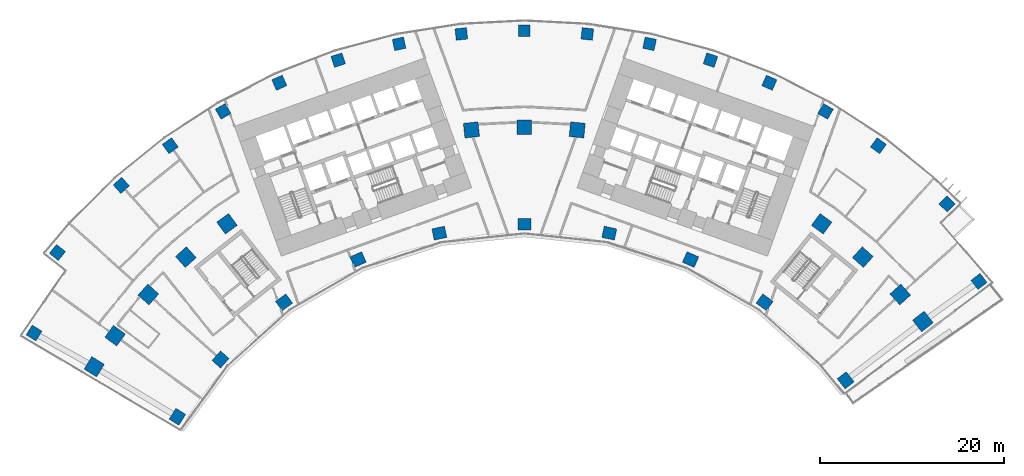
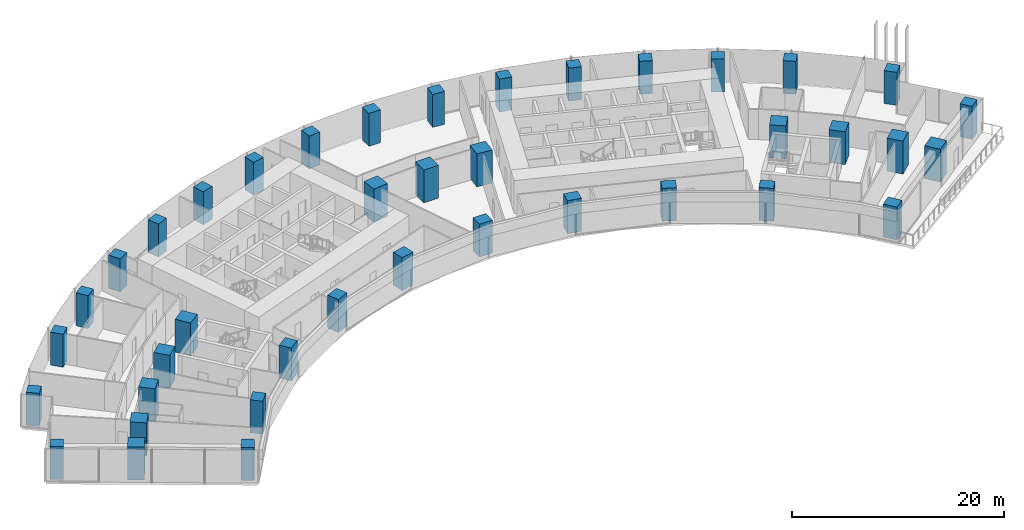
# One storey, part 1 of 21: 40 columns.
"""IFC4 building model written with IfcOpenShell, lengths in metres."""

from ifc_helpers import new_model, si_unit, direction, frame, origin, origin_2d, place, context, subcontext, project, spatial, rectangle, extrude, material, material_profile, profile_set, type_object, element, save


model = new_model("IFC4")

# Units and contexts
model_context = context("Model", 3, precision=1e-05, world=origin(), true_north=direction((0.0, 1.0)))
body_context = subcontext(model_context, "Body", "Model", "MODEL_VIEW")
ifc_project = project(units=[si_unit("LENGTHUNIT", "METRE"), si_unit("AREAUNIT", "SQUARE_METRE"), si_unit("VOLUMEUNIT", "CUBIC_METRE"), si_unit("PLANEANGLEUNIT", "RADIAN"), si_unit("MASSUNIT", "GRAM", prefix="KILO")], contexts=[model_context])

# Site, building, storey
site_placement = place(None, origin())
site = spatial("IfcSite", under=ifc_project, at=site_placement, CompositionType="ELEMENT")
building_placement = place(site_placement, origin())
building = spatial("IfcBuilding", under=site, at=building_placement, Name="Stone Belt Terrace Tower", CompositionType="ELEMENT")
storey_placement = place(building_placement, frame((0.0, 0.0, 68.0)))
storey = spatial("IfcBuildingStorey", under=building, at=storey_placement, Name="L16", CompositionType="ELEMENT", Elevation=68.0)

# Columns
ifc_material = material(Name="Concrete B80", Category="concrete")
ifc_material_profile_1 = material_profile(ifc_material, rectangle(XDim=1.25, YDim=1.25, at=origin_2d()), Name="RC 1250x1250")
ifc_profile_set_1 = profile_set([ifc_material_profile_1], Name="Concrete B80")
column_type_1 = type_object("IfcColumnType", Name="Column RC 1250x1250 B80", PredefinedType="COLUMN", material=ifc_profile_set_1)
for number, where, z_axis, x_axis, name in (
    (1, (-53.30078125, 32.6171875, 0.0), (0.0, 0.0, 1.0), (0.521967198123, 0.852965558556, 0.0), "Column L16 RA"),
    (2, (49.432861328125, 38.226318359375, 0.0), (0.0, 0.0, 1.0), (0.611730019057, -0.791066611472, 0.0), "Column L16 RB"),
    (3, (-50.7646484375, 41.373046875, 0.0), (0.0, 0.0, 1.0), (0.631758757508, 0.775165061333, 0.0), "Column L16 RNA"),
    (4, (-43.820556640625, 48.667724609375, 0.0), (0.0, 0.0, 1.0), (0.743144825477, 0.669130606359, 0.0), "Column L16 R15"),
    (5, (-38.493408203125, 52.981689453125, 0.0), (0.0, 0.0, 1.0), (0.809016994375, 0.587785252292, 0.0), "Column L16 R16"),
    (6, (-32.744384765625, 56.715087890625, 0.0), (0.0, 0.0, 1.0), (0.866025403784, 0.5, 0.0), "Column L16 R17"),
    (7, (-26.63671875, 59.8271484375, 0.0), (0.0, 0.0, 1.0), (0.913545457643, 0.406736643076, 0.0), "Column L16 R18"),
    (8, (-20.2373046875, 62.28369140625, 0.0), (0.0, 0.0, 1.0), (0.951056516295, 0.309016994375, 0.0), "Column L16 R19"),
    (9, (-13.615966796875, 64.057861328125, 0.0), (0.0, 0.0, 1.0), (0.978147600734, 0.207911690818, 0.0), "Column L16 R20"),
    (10, (-6.845458984375, 65.130126953125, 0.0), (0.0, 0.0, 1.0), (0.994521895368, 0.104528463268, 0.0), "Column L16 R21"),
    (11, (0.0, 65.489013671875, 0.0), (0.0, 0.0, 1.0), (1.0, 0.0, 0.0), "Column L16 R22"),
    (12, (6.845458984375, 65.130126953125, 0.0), (0.0, 0.0, 1.0), (0.994521895368, -0.104528463268, 0.0), "Column L16 R23"),
    (13, (13.615966796875, 64.057861328125, 0.0), (0.0, 0.0, 1.0), (0.978147600734, -0.207911690818, 0.0), "Column L16 R24"),
    (14, (20.2373046875, 62.28369140625, 0.0), (0.0, 0.0, 1.0), (0.951056516295, -0.309016994375, 0.0), "Column L16 R25"),
    (15, (26.63671875, 59.8271484375, 0.0), (0.0, 0.0, 1.0), (0.913545457643, -0.406736643076, 0.0), "Column L16 R26"),
    (16, (32.744384765625, 56.715087890625, 0.0), (0.0, 0.0, 1.0), (0.866025403784, -0.5, 0.0), "Column L16 R27"),
    (17, (38.493408203125, 52.981689453125, 0.0), (0.0, 0.0, 1.0), (0.809016994375, -0.587785252292, 0.0), "Column L16 R28"),
    (18, (45.95849609375, 46.654296875, 0.0), (0.0, 0.0, 1.0), (0.712398494182, -0.701775167334, 0.0), "Column L16 RNB"),
):
    element("IfcColumn", number, at=place(storey_placement, frame(where, z_axis=z_axis, x_axis=x_axis)), inside=storey, type_object=column_type_1, Name=name, PredefinedType="COLUMN", context=body_context, shape_type="SweptSolid", body=[
        extrude(rectangle(XDim=1.25, YDim=1.25, at=origin_2d()), origin(), (0.0, 0.0, 1.0), 3.800048828125),
    ])
ifc_material_profile_2 = material_profile(ifc_material, rectangle(XDim=1.39990234375, YDim=1.25, at=origin_2d()), Name="RC 1400x1250")
ifc_profile_set_2 = profile_set([ifc_material_profile_2], Name="Concrete B80")
column_type_2 = type_object("IfcColumnType", Name="Column RC 1400x1250 B80", PredefinedType="COLUMN", material=ifc_profile_set_2)
for number, where, z_axis, x_axis, name in (
    (19, (-37.718017578125, 23.510009765625, 0.0), (0.0, 0.0, 1.0), (0.528967211548, 0.84864226215, 0.0), "Column L16 PA"),
    (20, (-33.029052734375, 29.739501953125, 0.0), (0.0, 0.0, 1.0), (0.669130606359, 0.743144825477, 0.0), "Column L16 P14"),
    (21, (-26.1240234375, 35.956787109375, 0.0), (0.0, 0.0, 1.0), (0.809016994375, 0.587785252292, 0.0), "Column L16 P16"),
    (22, (-18.077392578125, 40.6025390625, 0.0), (0.0, 0.0, 1.0), (0.913545457643, 0.406736643076, 0.0), "Column L16 P18"),
    (23, (-9.240478515625, 43.473876953125, 0.0), (0.0, 0.0, 1.0), (0.978147600734, 0.207911690818, 0.0), "Column L16 P20"),
    (24, (0.0, 44.445068359375, 0.0), (0.0, 0.0, 1.0), (1.0, 0.0, 0.0), "Column L16 P22"),
    (25, (9.240478515625, 43.473876953125, 0.0), (0.0, 0.0, 1.0), (0.978147600734, -0.207911690818, 0.0), "Column L16 P24"),
    (26, (18.077392578125, 40.6025390625, 0.0), (0.0, 0.0, 1.0), (0.913545457643, -0.406736643076, 0.0), "Column L16 P26"),
    (27, (26.1240234375, 35.956787109375, 0.0), (0.0, 0.0, 1.0), (0.809016994375, -0.587785252292, 0.0), "Column L16 P28"),
    (28, (34.93408203125, 27.476806640625, 0.0), (0.0, 0.0, 1.0), (0.618217727677, -0.786006896399, 0.0), "Column L16 PB"),
):
    element("IfcColumn", number, at=place(storey_placement, frame(where, z_axis=z_axis, x_axis=x_axis)), inside=storey, type_object=column_type_2, Name=name, PredefinedType="COLUMN", context=body_context, shape_type="SweptSolid", body=[
        extrude(rectangle(XDim=1.39990234375, YDim=1.25, at=origin_2d()), origin(), (0.0, 0.0, 1.0), 3.800048828125),
    ])
ifc_material_profile_3 = material_profile(ifc_material, rectangle(XDim=1.60009765625, YDim=1.60009765625, at=origin_2d()), Name="RC 1600x1600")
ifc_profile_set_3 = profile_set([ifc_material_profile_3], Name="Concrete B80")
column_type_3 = type_object("IfcColumnType", Name="Column RC 1600x1600 B80", PredefinedType="COLUMN", material=ifc_profile_set_3)
for number, where, z_axis, x_axis, name in (
    (29, (-46.763671875, 28.951171875, 0.0), (0.0, 0.0, 1.0), (0.526383105721, 0.850247508677, 0.0), "Column L16 QA"),
    (30, (-44.495849609375, 32.328125, 0.0), (0.0, 0.0, 1.0), (0.587785252292, 0.809016994375, 0.0), "Column L16 Q13"),
    (31, (-40.873046875, 36.80224609375, 0.0), (0.0, 0.0, 1.0), (0.669130606359, 0.743144825477, 0.0), "Column L16 Q14"),
    (32, (-36.80224609375, 40.873046875, 0.0), (0.0, 0.0, 1.0), (0.743144825477, 0.669130606359, 0.0), "Column L16 Q15"),
    (33, (-32.328125, 44.495849609375, 0.0), (0.0, 0.0, 1.0), (0.809016994375, 0.587785252292, 0.0), "Column L16 Q16"),
    (34, (-5.7490234375, 54.69873046875, 0.0), (0.0, 0.0, 1.0), (0.994521895368, 0.104528463268, 0.0), "Column L16 Q21"),
    (35, (0.0, 55.0, 0.0), (0.0, 0.0, 1.0), (1.0, 0.0, 0.0), "Column L16 Q22"),
    (36, (5.7490234375, 54.69873046875, 0.0), (0.0, 0.0, 1.0), (0.994521895368, -0.104528463268, 0.0), "Column L16 Q23"),
    (37, (32.328125, 44.495849609375, 0.0), (0.0, 0.0, 1.0), (0.809016994375, -0.587785252292, 0.0), "Column L16 Q28"),
    (38, (36.80224609375, 40.873046875, 0.0), (0.0, 0.0, 1.0), (0.743144825477, -0.669130606359, 0.0), "Column L16 Q29"),
    (39, (40.873046875, 36.80224609375, 0.0), (0.0, 0.0, 1.0), (0.669130606359, -0.743144825477, 0.0), "Column L16 Q30"),
    (40, (43.33349609375, 33.870361328125, 0.0), (0.0, 0.0, 1.0), (0.615825127294, -0.787882867306, 0.0), "Column L16 QB"),
):
    element("IfcColumn", number, at=place(storey_placement, frame(where, z_axis=z_axis, x_axis=x_axis)), inside=storey, type_object=column_type_3, Name=name, PredefinedType="COLUMN", context=body_context, shape_type="SweptSolid", body=[
        extrude(rectangle(XDim=1.60009765625, YDim=1.60009765625, at=origin_2d()), origin(), (0.0, 0.0, 1.0), 3.800048828125),
    ])

save(model, "model.ifc")
